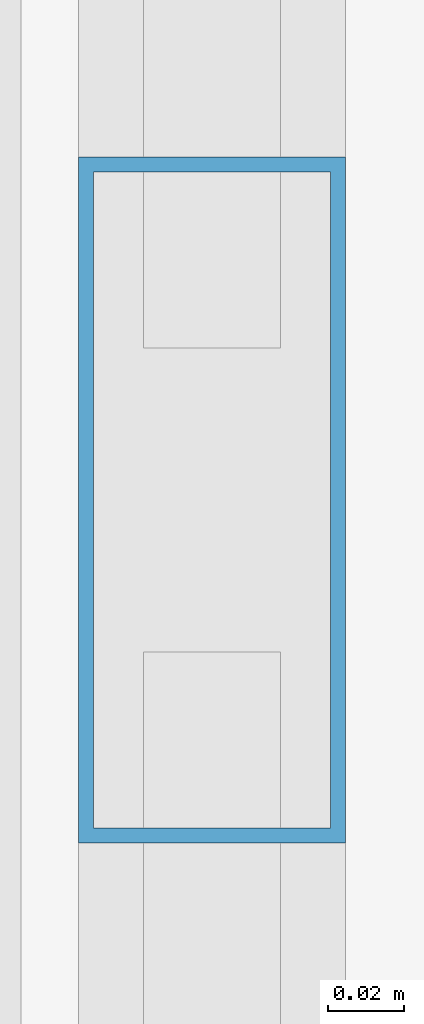
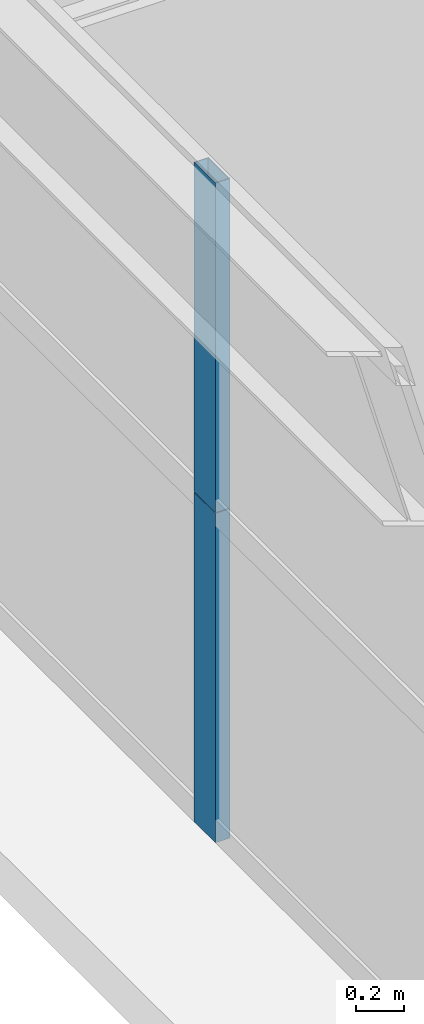
# One storey, part 10 of 43: 2 members, 1 element without a shape of its own.
"""IFC4 building model written with IfcOpenShell, lengths in metres."""

from ifc_helpers import new_model, si_unit, direction, frame, origin, origin_2d, place, context, subcontext, project, spatial, hollow_rectangle, extrude, source, transform, mapped, material, layer, layer_set, material_profile, profile_set, type_object, element, aggregate, save


model = new_model("IFC4")

# Units and contexts
model_context = context("Model", 3, precision=1e-05, world=origin(), true_north=direction((0.0, 1.0)))
body_context = subcontext(model_context, "Body", "Model", "MODEL_VIEW")
ifc_project = project(units=[si_unit("LENGTHUNIT", "METRE"), si_unit("AREAUNIT", "SQUARE_METRE"), si_unit("VOLUMEUNIT", "CUBIC_METRE"), si_unit("PLANEANGLEUNIT", "RADIAN"), si_unit("MASSUNIT", "GRAM", prefix="KILO"), si_unit("THERMODYNAMICTEMPERATUREUNIT", "KELVIN"), si_unit("POWERUNIT", "WATT")], contexts=[model_context])

# Site, building, storey
site_placement = place(None, origin())
site = spatial("IfcSite", under=ifc_project, at=site_placement, CompositionType="ELEMENT")
building_placement = place(site_placement, origin())
building = spatial("IfcBuilding", under=site, at=building_placement, Name="Yuzanri Waterfront Tower", CompositionType="ELEMENT")
storey_placement = place(building_placement, frame((0.0, 0.0, 101.0)))
storey = spatial("IfcBuildingStorey", under=building, at=storey_placement, Name="L26", CompositionType="ELEMENT", Elevation=101.0)

# Curtain wall, members
ifc_material_1 = material(Name="Anodized Architectural Bronze", Category="metal")
ifc_layer = layer(ifc_material_1, 0.159912109375)
ifc_layer_set = layer_set([ifc_layer], Name="Anodized Architectural Bronze")
curtain_wall_type = type_object("IfcCurtainWallType", Name="Anodized Bronze Hotel Upper-Tier Solar-Control Unitized Curtain Wall 7800", PredefinedType="NOTDEFINED", material=ifc_layer_set)
curtain_wall_placement = place(storey_placement, origin())
curtain_wall = element("IfcCurtainWall", 1, at=curtain_wall_placement, inside=storey, type_object=curtain_wall_type, Name="L26 Curtain Wall CW-L26-WL", PredefinedType="NOTDEFINED")
ifc_material_2 = material(Name="Anodized Architectural Bronze", Category="metal")
ifc_material_profile = material_profile(ifc_material_2, hollow_rectangle(XDim=0.070068359375, YDim=0.179931640625, WallThickness=0.00390625, at=origin_2d()), Name="CWM 70x180")
ifc_profile_set = profile_set([ifc_material_profile], Name="Anodized Architectural Bronze")
member_type = type_object("IfcMemberType", Name="Anodized Bronze Standard Curtain-Wall Mullion 70x180", PredefinedType="MULLION", material=ifc_profile_set)
shared_shape = source(origin(), body_context, "Body", "SweptSolid", [
    extrude(hollow_rectangle(XDim=0.070068359375, YDim=0.179931640625, WallThickness=0.00390625, at=origin_2d()), origin(), (0.0, 0.0, 1.0), 1.68798828125),
])
member_1_placement = place(storey_placement, frame((13.550048828125, 17.449951171875, 0.0), z_axis=(0.0, 0.0, 1.0), x_axis=(1.0, 0.0, 0.0)))
member_1 = element("IfcMember", 2, at=member_1_placement, type_object=member_type, Name="CW-L26-WL Lower Mullion 01", PredefinedType="MULLION", context=body_context, shape_type="MappedRepresentation", body=[
    mapped(shared_shape, transform((0.0, 0.0, 0.0), scale=1.0)),
])
member_2_placement = place(storey_placement, frame((13.550048828125, 17.449951171875, 1.69189453125), z_axis=(0.0, 0.0, 1.0), x_axis=(1.0, 0.0, 0.0)))
member_2 = element("IfcMember", 3, at=member_2_placement, type_object=member_type, Name="CW-L26-WL Upper Mullion 01", PredefinedType="MULLION", context=body_context, shape_type="MappedRepresentation", body=[
    mapped(shared_shape, transform((0.0, 0.0, 0.0), scale=1.0)),
])
aggregate(curtain_wall, [member_1, member_2])

save(model, "model.ifc")
